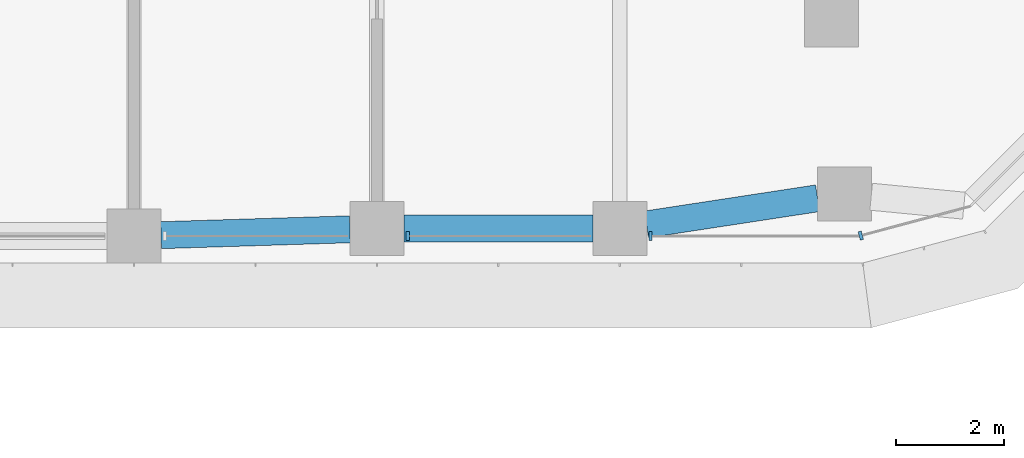
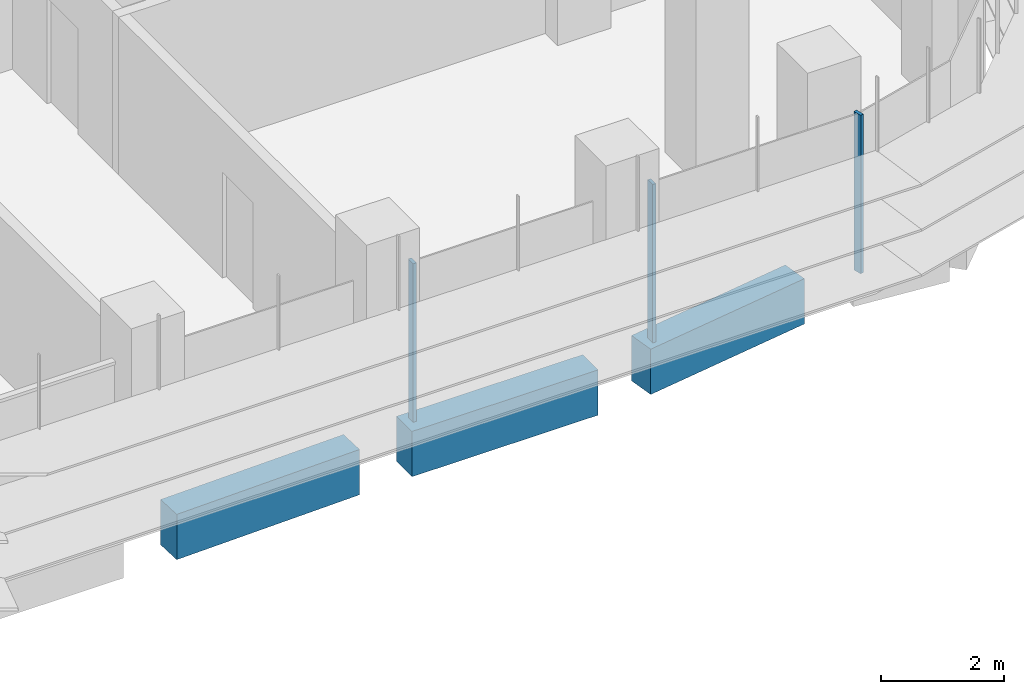
# One storey, part 5 of 23: 3 beams, 3 members, 2 elements without a shape of their own.
"""IFC4 building model written with IfcOpenShell, lengths in metres."""

from ifc_helpers import new_model, si_unit, direction, frame, origin, origin_2d, place, context, subcontext, project, spatial, polyline, rectangle, outline, extrude, source, transform, mapped, material, material_profile, profile_set, type_object, element, aggregate, save


model = new_model("IFC4")

# Units and contexts
model_context = context("Model", 3, precision=1e-05, world=origin(), true_north=direction((0.0, 1.0)))
body_context = subcontext(model_context, "Body", "Model", "MODEL_VIEW")
ifc_project = project(units=[si_unit("LENGTHUNIT", "METRE"), si_unit("AREAUNIT", "SQUARE_METRE"), si_unit("VOLUMEUNIT", "CUBIC_METRE"), si_unit("PLANEANGLEUNIT", "RADIAN"), si_unit("MASSUNIT", "GRAM", prefix="KILO")], contexts=[model_context])

# Site, building, storey
site_placement = place(None, origin())
site = spatial("IfcSite", under=ifc_project, at=site_placement, CompositionType="ELEMENT")
building_placement = place(site_placement, origin())
building = spatial("IfcBuilding", under=site, at=building_placement, Name="Zarbagh Exchange Tower", CompositionType="ELEMENT")
storey_placement = place(building_placement, frame((0.0, 0.0, 48.0)))
storey = spatial("IfcBuildingStorey", under=building, at=storey_placement, Name="L10", CompositionType="ELEMENT", Elevation=48.0)

# Beams
ifc_material_1 = material(Name="Concrete C60/75", Category="concrete")
ifc_material_profile = material_profile(ifc_material_1, rectangle(XDim=0.5, YDim=0.89990234375, at=origin_2d()), Name="RC spandrel beam 500 x 900 C60/75")
ifc_profile_set = profile_set([ifc_material_profile], Name="Concrete C60/75")
beam_type = type_object("IfcBeamType", Name="RC spandrel beam 500 x 900 C60/75", PredefinedType="SPANDREL", material=ifc_profile_set)
beam_1_placement = place(storey_placement, frame((28.413818359375, -5.550537109375, -0.60009765625), z_axis=(-0.988545350976, -0.150924116903, 0.0), x_axis=(0.150924116903, -0.988545350976, 0.0)))
element("IfcBeam", 1, at=beam_1_placement, inside=storey, type_object=beam_type, Name="RC spandrel beam", PredefinedType="SPANDREL", context=body_context, shape_type="SweptSolid", body=[
    extrude(rectangle(XDim=0.5, YDim=0.89990234375, at=origin_2d()), origin(), (0.0, 0.0, 1.0), 3.2060546875),
])
beam_2_placement = place(storey_placement, frame((24.25, -6.110107421875, -0.60009765625), z_axis=(-1.0, 0.0, 0.0), x_axis=(0.0, -1.0, 0.0)))
element("IfcBeam", 2, at=beam_2_placement, inside=storey, type_object=beam_type, Name="RC spandrel beam", PredefinedType="SPANDREL", context=body_context, shape_type="SweptSolid", body=[
    extrude(rectangle(XDim=0.5, YDim=0.89990234375, at=origin_2d()), origin(), (0.0, 0.0, 1.0), 3.5),
])
beam_3_placement = place(storey_placement, frame((19.750244140625, -6.12548828125, -0.60009765625), z_axis=(-0.999514385708, -0.031160756759, 0.0), x_axis=(0.031160756759, -0.999514385708, 0.0)))
element("IfcBeam", 3, at=beam_3_placement, inside=storey, type_object=beam_type, Name="RC spandrel beam", PredefinedType="SPANDREL", context=body_context, shape_type="SweptSolid", body=[
    extrude(rectangle(XDim=0.5, YDim=0.89990234375, at=origin_2d()), origin(), (0.0, 0.0, 1.0), 3.502197265625),
])

# Curtain wall, members
ifc_material_2 = material(Name="Anodised aluminium frame and glazing", Category="aluminium")
curtain_wall_type = type_object("IfcCurtainWallType", Name="CWA Ribbon glazing, lower zones", PredefinedType="NOTDEFINED", material=ifc_material_2)
curtain_wall_1_placement = place(storey_placement, origin())
curtain_wall_1 = element("IfcCurtainWall", 4, at=curtain_wall_1_placement, inside=storey, type_object=curtain_wall_type, Name="CWA08 curtain wall", PredefinedType="NOTDEFINED")
ifc_material_3 = material(Name="Anodised aluminium frame", Category="aluminium")
member_type = type_object("IfcMemberType", Name="MUA Mullion, anodised aluminium frame", PredefinedType="MULLION", material=ifc_material_3)
shared_shape = source(origin(), body_context, "Body", "SweptSolid", [
    extrude(outline(polyline([(0.0, -0.080078125), (0.06005859375, -0.080078125), (0.06005859375, 0.080078125), (0.0, 0.080078125), (0.0, -0.080078125)])), origin(), (0.0, 0.0, 1.0), 3.14990234375),
])
placement = place(storey_placement, origin())
member_1 = element("IfcMember", 5, at=placement, type_object=member_type, Name="CWA08 mullion 3.1", PredefinedType="MULLION", context=body_context, shape_type="MappedRepresentation", body=[
    mapped(shared_shape, transform((20.7900390625, -6.25, 0.0), x_axis=(1.0, 0.0, 0.0), y_axis=(0.0, 1.0, 0.0), z_axis=(0.0, 0.0, 1.0))),
])
member_2 = element("IfcMember", 6, at=placement, type_object=member_type, Name="CWA08 mullion 4.1", PredefinedType="MULLION", context=body_context, shape_type="MappedRepresentation", body=[
    mapped(shared_shape, transform((25.2900390625, -6.25, 0.0), x_axis=(1.0, 0.0, 0.0), y_axis=(0.0, 1.0, 0.0), z_axis=(0.0, 0.0, 1.0))),
])
aggregate(curtain_wall_1, [member_1, member_2])

# Curtain wall, member
curtain_wall_2_placement = place(storey_placement, origin())
curtain_wall_2 = element("IfcCurtainWall", 7, at=curtain_wall_2_placement, inside=storey, type_object=curtain_wall_type, Name="CWA09 curtain wall", PredefinedType="NOTDEFINED")
member_3 = element("IfcMember", 8, at=placement, type_object=member_type, Name="CWA09 mullion 1.1", PredefinedType="MULLION", context=body_context, shape_type="MappedRepresentation", body=[
    mapped(shared_shape, transform((29.18408203125, -6.25, 0.0), x_axis=(0.965924289636, 0.258824779902, 0.0), y_axis=(-0.258824779902, 0.965924289636, 0.0), z_axis=(0.0, 0.0, 1.0))),
])
aggregate(curtain_wall_2, [member_3])

save(model, "model.ifc")
